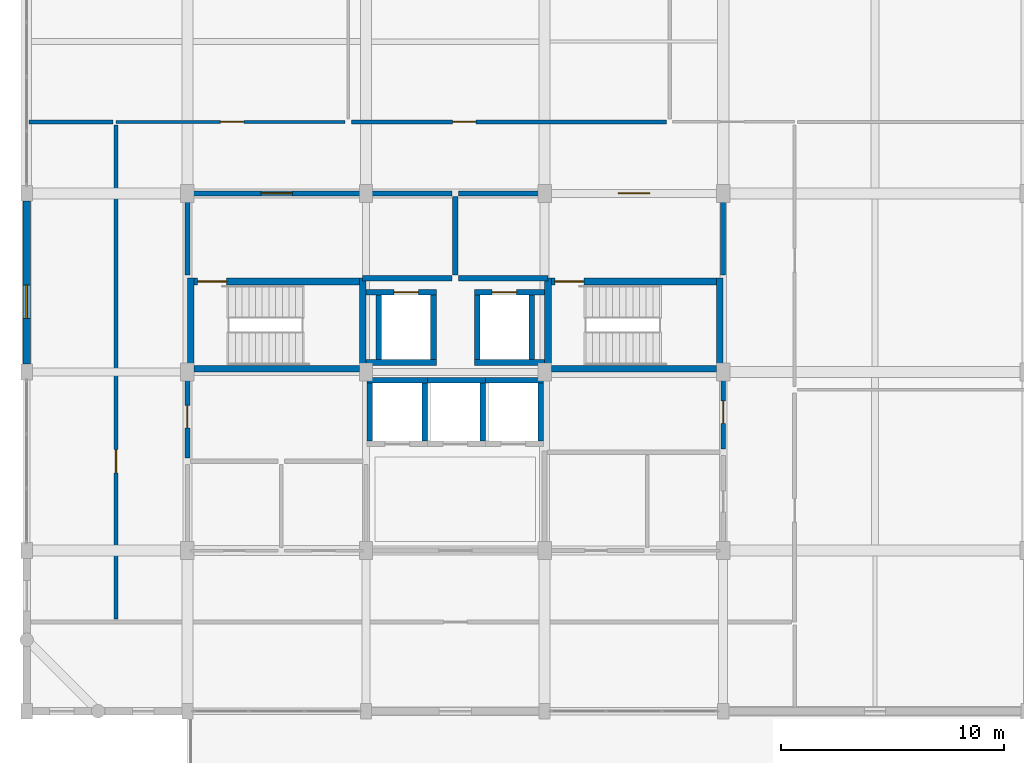
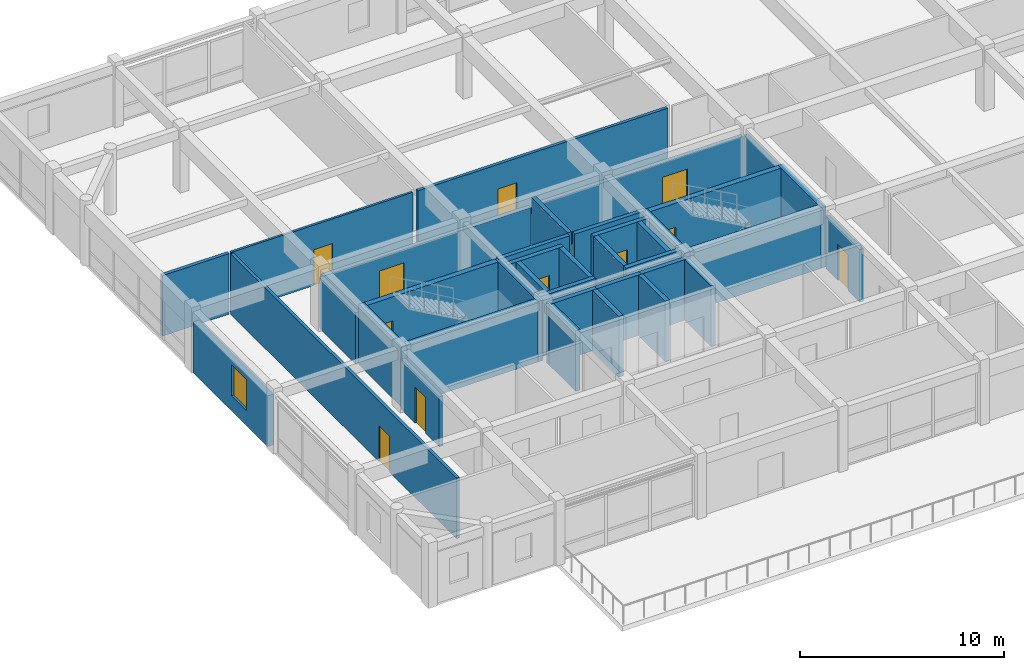
# One storey, part 10 of 13: 37 walls, 11 doors, 1 window, 12 openings.
"""IFC4 building model written with IfcOpenShell, lengths in metres."""

from ifc_helpers import new_model, si_unit, direction, frame, frame_2d, origin, place, context, subcontext, project, spatial, rectangle, extrude, material, layer, layer_set, type_object, element, fill, save


model = new_model("IFC4")

# Units and contexts
model_context = context("Model", 3, precision=1e-05, world=origin(), true_north=direction((0.0, 1.0)))
body_context = subcontext(model_context, "Body", "Model", "MODEL_VIEW")
ifc_project = project(units=[si_unit("LENGTHUNIT", "METRE"), si_unit("AREAUNIT", "SQUARE_METRE"), si_unit("VOLUMEUNIT", "CUBIC_METRE"), si_unit("PLANEANGLEUNIT", "RADIAN"), si_unit("MASSUNIT", "GRAM", prefix="KILO")], contexts=[model_context])

# Site, building, storey
site_placement = place(None, origin())
site = spatial("IfcSite", under=ifc_project, at=site_placement, CompositionType="ELEMENT")
building_placement = place(site_placement, origin())
building = spatial("IfcBuilding", under=site, at=building_placement, Name="Vellmiral Cinema and Media Centre", CompositionType="ELEMENT")
storey_placement = place(building_placement, frame((0.0, 0.0, 50.89990234375)))
storey = spatial("IfcBuildingStorey", under=building, at=storey_placement, Name="L12", CompositionType="ELEMENT", Elevation=50.89990234375)

# Wall, opening, door
ifc_material_1 = material(Name="Concrete C40/50", Category="concrete")
ifc_layer_1 = layer(ifc_material_1, 0.2099609375, Name="Concrete C40/50")
ifc_layer_set_1 = layer_set([ifc_layer_1], Name="Concrete C40/50")
wall_type_1 = type_object("IfcWallType", Name="WL-COMP-210", PredefinedType="SOLIDWALL", material=ifc_layer_set_1)
wall_1_placement = place(storey_placement, frame((124.0, 83.340087890625, 0.0), z_axis=(0.0, 0.0, 1.0), x_axis=(0.0, 1.0, 0.0)))
wall_1 = element("IfcWall", 1, at=wall_1_placement, inside=storey, type_object=wall_type_1, Name="Electrical and Telecom Riser Room Wall W", PredefinedType="SOLIDWALL", context=body_context, shape_type="SweptSolid", body=[
    extrude(rectangle(XDim=3.719970703125, YDim=0.2099609375, at=frame_2d((1.85986328125, 0.0))), origin(), (0.0, 0.0, 1.0), 3.005126953125),
])
opening_1_placement = place(wall_1_placement, frame((1.360107421875, 0.0, 0.0)))
opening_1 = element("IfcOpeningElement", 2, at=opening_1_placement, cuts=wall_1, Name="Opening D-FD30B", PredefinedType="OPENING", context=body_context, shape_type="SweptSolid", body=[
    extrude(rectangle(XDim=1.0, YDim=2.14990234375, at=frame_2d((0.5, 1.074951171875))), frame((0.0, 0.116943359375, 0.0), z_axis=(0.0, -1.0, 0.0), x_axis=(1.0, 0.0, 0.0)), (0.0, 0.0, 1.0), 0.23388671875),
])
ifc_material_2 = material(Name="Steel Riser Fire Door", Category="steel")
door_type_1 = type_object("IfcDoorType", Name="DR-FD30-1000x2150", OperationType="NOTDEFINED", PredefinedType="DOOR", material=ifc_material_2)
door_1_placement = place(opening_1_placement, frame((1.0, 0.0, 0.0), z_axis=(0.0, 0.0, 1.0), x_axis=(-1.0, 0.0, 0.0)))
door_1 = element("IfcDoor", 3, at=door_1_placement, inside=storey, type_object=door_type_1, Name="Electrical and Telecom Riser Room Door", OperationType="SINGLE_SWING_LEFT", OverallHeight=2.14990234375, OverallWidth=1.0, PredefinedType="DOOR", context=body_context, shape_type="SweptSolid", body=[
    extrude(rectangle(XDim=1.0, YDim=2.14990234375, at=frame_2d((0.5, 1.074951171875))), frame((0.0, 0.02490234375, 0.0), z_axis=(0.0, -1.0, 0.0), x_axis=(1.0, 0.0, 0.0)), (0.0, 0.0, 1.0), 0.050048828125),
])
fill(opening_1, door_1)

wall_2_placement = place(storey_placement, frame((148.0, 83.739990234375, 0.0), z_axis=(0.0, 0.0, 1.0), x_axis=(0.0, 1.0, 0.0)))
wall_2 = element("IfcWall", 4, at=wall_2_placement, inside=storey, type_object=wall_type_1, Name="Mechanical Riser and Duct Room Wall E", PredefinedType="SOLIDWALL", context=body_context, shape_type="SweptSolid", body=[
    extrude(rectangle(XDim=3.320068359375, YDim=0.2099609375, at=frame_2d((1.66015625, 0.0))), origin(), (0.0, 0.0, 1.0), 3.155029296875),
])
opening_2_placement = place(wall_2_placement, frame((1.159912109375, 0.0, 0.0)))
opening_2 = element("IfcOpeningElement", 5, at=opening_2_placement, cuts=wall_2, Name="Opening D-FD30B", PredefinedType="OPENING", context=body_context, shape_type="SweptSolid", body=[
    extrude(rectangle(XDim=1.0, YDim=2.14990234375, at=frame_2d((0.5, 1.074951171875))), frame((0.0, 0.116943359375, 0.0), z_axis=(0.0, -1.0, 0.0), x_axis=(1.0, 0.0, 0.0)), (0.0, 0.0, 1.0), 0.23388671875),
])
door_2_placement = place(opening_2_placement, origin())
door_2 = element("IfcDoor", 6, at=door_2_placement, inside=storey, type_object=door_type_1, Name="Mechanical Riser and Duct Room Door", OperationType="SINGLE_SWING_LEFT", OverallHeight=2.14990234375, OverallWidth=1.0, PredefinedType="DOOR", context=body_context, shape_type="SweptSolid", body=[
    extrude(rectangle(XDim=1.0, YDim=2.14990234375, at=frame_2d((0.5, 1.074951171875))), frame((0.0, 0.02490234375, 0.0), z_axis=(0.0, -1.0, 0.0), x_axis=(1.0, 0.0, 0.0)), (0.0, 0.0, 1.0), 0.050048828125),
])
fill(opening_2, door_2)

# Walls
ifc_material_3 = material(Name="Concrete C40/50", Category="concrete")
ifc_layer_2 = layer(ifc_material_3, 0.300048828125, Name="Concrete C40/50")
ifc_layer_set_2 = layer_set([ifc_layer_2], Name="Concrete C40/50")
wall_type_2 = type_object("IfcWallType", Name="WL-CORE-300", PredefinedType="SHEAR", material=ifc_layer_set_2)
for number, where, z_axis, x_axis, name in (
    (7, (124.14990234375, 87.199951171875, 0.0), (0.0, 0.0, 1.0), (0.0, 1.0, 0.0), "Stair Core Wall ST-T1 L12-W"),
    (8, (131.85009765625, 87.199951171875, 0.0), (0.0, 0.0, 1.0), (0.0, 1.0, 0.0), "Stair Core Wall ST-T1 L12-E"),
):
    element("IfcWall", number, at=place(storey_placement, frame(where, z_axis=z_axis, x_axis=x_axis)), inside=storey, type_object=wall_type_2, Name=name, PredefinedType="SHEAR", context=body_context, shape_type="SweptSolid", body=[
        extrude(rectangle(XDim=4.199951171875, YDim=0.300048828125, at=frame_2d((2.10009765625, 0.0))), origin(), (0.0, 0.0, 1.0), 3.6201171875),
    ])
wall_3_placement = place(storey_placement, frame((124.300048828125, 87.35009765625, 0.0), z_axis=(0.0, 0.0, 1.0), x_axis=(1.0, 0.0, 0.0)))
element("IfcWall", 9, at=wall_3_placement, inside=storey, type_object=wall_type_2, Name="Stair Core Wall ST-T1 L12-S", PredefinedType="SHEAR", context=body_context, shape_type="SweptSolid", body=[
    extrude(rectangle(XDim=7.39990234375, YDim=0.300048828125, at=frame_2d((3.699951171875, 0.0))), origin(), (0.0, 0.0, 1.0), 3.6201171875),
])

# Wall, opening, door
wall_4_placement = place(storey_placement, frame((124.300048828125, 91.25, 0.0), z_axis=(0.0, 0.0, 1.0), x_axis=(1.0, 0.0, 0.0)))
wall_4 = element("IfcWall", 10, at=wall_4_placement, inside=storey, type_object=wall_type_2, Name="Stair Core Wall ST-T1 L12-N", PredefinedType="SHEAR", context=body_context, shape_type="SweptSolid", body=[
    extrude(rectangle(XDim=7.39990234375, YDim=0.300048828125, at=frame_2d((3.699951171875, 0.0))), origin(), (0.0, 0.0, 1.0), 3.6201171875),
])
opening_3_placement = place(wall_4_placement, frame((0.159912109375, 0.0, 0.0)))
opening_3 = element("IfcOpeningElement", 11, at=opening_3_placement, cuts=wall_4, Name="Opening D-FD30A", PredefinedType="OPENING", context=body_context, shape_type="SweptSolid", body=[
    extrude(rectangle(XDim=1.300048828125, YDim=2.179931640625, at=frame_2d((0.64990234375, 1.08984375))), frame((0.0, 0.162109375, 0.0), z_axis=(0.0, -1.0, 0.0), x_axis=(1.0, 0.0, 0.0)), (0.0, 0.0, 1.0), 0.323974609375),
])
ifc_material_4 = material(Name="Steel Stair Fire Door", Category="steel")
door_type_2 = type_object("IfcDoorType", Name="DR-FD30-1300x2180", OperationType="NOTDEFINED", PredefinedType="DOOR", material=ifc_material_4)
door_3_placement = place(opening_3_placement, frame((1.300048828125, 0.0, 0.0), z_axis=(0.0, 0.0, 1.0), x_axis=(-1.0, 0.0, 0.0)))
door_3 = element("IfcDoor", 12, at=door_3_placement, inside=storey, type_object=door_type_2, Name="Protected Stair Door ST-T1 L12", OperationType="SINGLE_SWING_RIGHT", OverallHeight=2.179931640625, OverallWidth=1.300048828125, PredefinedType="DOOR", context=body_context, shape_type="SweptSolid", body=[
    extrude(rectangle(XDim=1.300048828125, YDim=2.179931640625, at=frame_2d((0.64990234375, 1.08984375))), frame((0.0, 0.02490234375, 0.0), z_axis=(0.0, -1.0, 0.0), x_axis=(1.0, 0.0, 0.0)), (0.0, 0.0, 1.0), 0.050048828125),
])
fill(opening_3, door_3)

# Walls
for number, where, z_axis, x_axis, name in (
    (13, (140.14990234375, 87.199951171875, 0.0), (0.0, 0.0, 1.0), (0.0, 1.0, 0.0), "Stair Core Wall ST-T2 L12-W"),
    (14, (147.85009765625, 87.199951171875, 0.0), (0.0, 0.0, 1.0), (0.0, 1.0, 0.0), "Stair Core Wall ST-T2 L12-E"),
):
    element("IfcWall", number, at=place(storey_placement, frame(where, z_axis=z_axis, x_axis=x_axis)), inside=storey, type_object=wall_type_2, Name=name, PredefinedType="SHEAR", context=body_context, shape_type="SweptSolid", body=[
        extrude(rectangle(XDim=4.199951171875, YDim=0.300048828125, at=frame_2d((2.10009765625, 0.0))), origin(), (0.0, 0.0, 1.0), 3.6201171875),
    ])
wall_5_placement = place(storey_placement, frame((140.300048828125, 87.35009765625, 0.0), z_axis=(0.0, 0.0, 1.0), x_axis=(1.0, 0.0, 0.0)))
element("IfcWall", 15, at=wall_5_placement, inside=storey, type_object=wall_type_2, Name="Stair Core Wall ST-T2 L12-S", PredefinedType="SHEAR", context=body_context, shape_type="SweptSolid", body=[
    extrude(rectangle(XDim=7.39990234375, YDim=0.300048828125, at=frame_2d((3.699951171875, 0.0))), origin(), (0.0, 0.0, 1.0), 3.6201171875),
])

# Wall, opening, door
wall_6_placement = place(storey_placement, frame((140.300048828125, 91.25, 0.0), z_axis=(0.0, 0.0, 1.0), x_axis=(1.0, 0.0, 0.0)))
wall_6 = element("IfcWall", 16, at=wall_6_placement, inside=storey, type_object=wall_type_2, Name="Stair Core Wall ST-T2 L12-N", PredefinedType="SHEAR", context=body_context, shape_type="SweptSolid", body=[
    extrude(rectangle(XDim=7.39990234375, YDim=0.300048828125, at=frame_2d((3.699951171875, 0.0))), origin(), (0.0, 0.0, 1.0), 3.6201171875),
])
opening_4_placement = place(wall_6_placement, frame((0.159912109375, 0.0, 0.0)))
opening_4 = element("IfcOpeningElement", 17, at=opening_4_placement, cuts=wall_6, Name="Opening D-FD30A", PredefinedType="OPENING", context=body_context, shape_type="SweptSolid", body=[
    extrude(rectangle(XDim=1.300048828125, YDim=2.179931640625, at=frame_2d((0.64990234375, 1.08984375))), frame((0.0, 0.162109375, 0.0), z_axis=(0.0, -1.0, 0.0), x_axis=(1.0, 0.0, 0.0)), (0.0, 0.0, 1.0), 0.323974609375),
])
door_4_placement = place(opening_4_placement, frame((1.300048828125, 0.0, 0.0), z_axis=(0.0, 0.0, 1.0), x_axis=(-1.0, 0.0, 0.0)))
door_4 = element("IfcDoor", 18, at=door_4_placement, inside=storey, type_object=door_type_2, Name="Protected Stair Door ST-T2 L12", OperationType="SINGLE_SWING_RIGHT", OverallHeight=2.179931640625, OverallWidth=1.300048828125, PredefinedType="DOOR", context=body_context, shape_type="SweptSolid", body=[
    extrude(rectangle(XDim=1.300048828125, YDim=2.179931640625, at=frame_2d((0.64990234375, 1.08984375))), frame((0.0, 0.02490234375, 0.0), z_axis=(0.0, -1.0, 0.0), x_axis=(1.0, 0.0, 0.0)), (0.0, 0.0, 1.0), 0.050048828125),
])
fill(opening_4, door_4)

# Wall, opening, window
ifc_material_5 = material(Name="Vosges Red Sandstone Masonry", Category="masonry")
ifc_layer_3 = layer(ifc_material_5, 0.340087890625, Name="Vosges Red Sandstone Masonry")
ifc_layer_set_3 = layer_set([ifc_layer_3], Name="Vosges Red Sandstone Masonry")
wall_type_3 = type_object("IfcWallType", Name="WL-EXT-SAND-340", PredefinedType="SOLIDWALL", material=ifc_layer_set_3)
wall_7_placement = place(storey_placement, frame((116.800048828125, 94.85009765625, 0.0), z_axis=(0.0, 0.0, 1.0), x_axis=(0.0, -1.0, 0.0)))
wall_7 = element("IfcWall", 19, at=wall_7_placement, inside=storey, type_object=wall_type_3, Name="Exterior Facade Wall L12-026", PredefinedType="SOLIDWALL", context=body_context, shape_type="SweptSolid", body=[
    extrude(rectangle(XDim=7.300048828125, YDim=0.340087890625, at=frame_2d((3.64990234375, 0.0))), origin(), (0.0, 0.0, 1.0), 3.045166015625),
])
opening_5_placement = place(wall_7_placement, frame((3.75, 0.0, 0.89990234375)))
opening_5 = element("IfcOpeningElement", 20, at=opening_5_placement, cuts=wall_7, Name="Opening WN-06", PredefinedType="OPENING", context=body_context, shape_type="SweptSolid", body=[
    extrude(rectangle(XDim=1.5, YDim=1.85009765625, at=frame_2d((0.75, 0.925048828125))), frame((0.0, 0.18212890625, 0.0), z_axis=(0.0, -1.0, 0.0), x_axis=(1.0, 0.0, 0.0)), (0.0, 0.0, 1.0), 0.364013671875),
])
ifc_material_6 = material(Name="Thermally Broken Aluminium Triple Glazing", Category="aluminium")
window_type = type_object("IfcWindowType", Name="WN-1500x1850", PartitioningType="SINGLE_PANEL", PredefinedType="WINDOW", material=ifc_material_6)
window_placement = place(opening_5_placement, origin())
window = element("IfcWindow", 21, at=window_placement, inside=storey, type_object=window_type, Name="Window L12-026", OverallHeight=1.85009765625, OverallWidth=1.5, PartitioningType="SINGLE_PANEL", PredefinedType="WINDOW", context=body_context, shape_type="SweptSolid", body=[
    extrude(rectangle(XDim=1.5, YDim=1.85009765625, at=frame_2d((0.75, 0.925048828125))), frame((0.0, 0.030029296875, 0.0), z_axis=(0.0, -1.0, 0.0), x_axis=(1.0, 0.0, 0.0)), (0.0, 0.0, 1.0), 0.06005859375),
])
fill(opening_5, window)

# Wall
ifc_material_7 = material(Name="Concrete C40/50", Category="concrete")
ifc_layer_4 = layer(ifc_material_7, 0.22998046875, Name="Concrete C40/50")
ifc_layer_set_4 = layer_set([ifc_layer_4], Name="Concrete C40/50")
wall_type_4 = type_object("IfcWallType", Name="WL-FFL-230", PredefinedType="SOLIDWALL", material=ifc_layer_set_4)
wall_8_placement = place(storey_placement, frame((131.840087890625, 91.39990234375, 0.0), z_axis=(0.0, 0.0, 1.0), x_axis=(1.0, 0.0, 0.0)))
element("IfcWall", 22, at=wall_8_placement, inside=storey, type_object=wall_type_4, Name="Firefighting Lobby West Wall S", PredefinedType="SOLIDWALL", context=body_context, shape_type="SweptSolid", body=[
    extrude(rectangle(XDim=4.02001953125, YDim=0.22998046875, at=frame_2d((2.010009765625, 0.0))), origin(), (0.0, 0.0, 1.0), 3.6201171875),
])

# Wall, opening, door
wall_9_placement = place(storey_placement, frame((124.139892578125, 95.199951171875, 0.0), z_axis=(0.0, 0.0, 1.0), x_axis=(1.0, 0.0, 0.0)))
wall_9 = element("IfcWall", 23, at=wall_9_placement, inside=storey, type_object=wall_type_4, Name="Firefighting Lobby West Wall N", PredefinedType="SOLIDWALL", context=body_context, shape_type="SweptSolid", body=[
    extrude(rectangle(XDim=11.72021484375, YDim=0.22998046875, at=frame_2d((5.860107421875, 0.0))), origin(), (0.0, 0.0, 1.0), 3.005126953125),
])
opening_6_placement = place(wall_9_placement, frame((3.159912109375, 0.0, 0.0)))
opening_6 = element("IfcOpeningElement", 24, at=opening_6_placement, cuts=wall_9, Name="Opening D-FD60B", PredefinedType="OPENING", context=body_context, shape_type="SweptSolid", body=[
    extrude(rectangle(XDim=1.39990234375, YDim=2.199951171875, at=frame_2d((0.699951171875, 1.10009765625))), frame((0.0, 0.126953125, 0.0), z_axis=(0.0, -1.0, 0.0), x_axis=(1.0, 0.0, 0.0)), (0.0, 0.0, 1.0), 0.25390625),
])
ifc_material_8 = material(Name="Steel Fire Door", Category="steel")
door_type_3 = type_object("IfcDoorType", Name="DR-FD60-1400x2200", OperationType="NOTDEFINED", PredefinedType="DOOR", material=ifc_material_8)
door_5_placement = place(opening_6_placement, frame((1.39990234375, 0.0, 0.0), z_axis=(0.0, 0.0, 1.0), x_axis=(-1.0, 0.0, 0.0)))
door_5 = element("IfcDoor", 25, at=door_5_placement, inside=storey, type_object=door_type_3, Name="Firefighting Lobby West Door", OperationType="SINGLE_SWING_RIGHT", OverallHeight=2.199951171875, OverallWidth=1.39990234375, PredefinedType="DOOR", context=body_context, shape_type="SweptSolid", body=[
    extrude(rectangle(XDim=1.39990234375, YDim=2.199951171875, at=frame_2d((0.699951171875, 1.10009765625))), frame((0.0, 0.02490234375, 0.0), z_axis=(0.0, -1.0, 0.0), x_axis=(1.0, 0.0, 0.0)), (0.0, 0.0, 1.0), 0.050048828125),
])
fill(opening_6, door_5)

# Walls
wall_10_placement = place(storey_placement, frame((124.0, 91.5400390625, 0.0), z_axis=(0.0, 0.0, 1.0), x_axis=(0.0, 1.0, 0.0)))
element("IfcWall", 26, at=wall_10_placement, inside=storey, type_object=wall_type_4, Name="Firefighting Lobby West Wall W", PredefinedType="SOLIDWALL", context=body_context, shape_type="SweptSolid", body=[
    extrude(rectangle(XDim=3.52001953125, YDim=0.22998046875, at=frame_2d((1.760009765625, 0.0))), origin(), (0.0, 0.0, 1.0), 3.05517578125),
])
wall_11_placement = place(storey_placement, frame((136.0, 91.5400390625, 0.0), z_axis=(0.0, 0.0, 1.0), x_axis=(0.0, 1.0, 0.0)))
element("IfcWall", 27, at=wall_11_placement, inside=storey, type_object=wall_type_4, Name="Firefighting Lobby West Wall E", PredefinedType="SOLIDWALL", context=body_context, shape_type="SweptSolid", body=[
    extrude(rectangle(XDim=3.52001953125, YDim=0.22998046875, at=frame_2d((1.760009765625, 0.0))), origin(), (0.0, 0.0, 1.0), 3.6201171875),
])
wall_12_placement = place(storey_placement, frame((136.139892578125, 91.39990234375, 0.0), z_axis=(0.0, 0.0, 1.0), x_axis=(1.0, 0.0, 0.0)))
element("IfcWall", 28, at=wall_12_placement, inside=storey, type_object=wall_type_4, Name="Firefighting Lobby East Wall S", PredefinedType="SOLIDWALL", context=body_context, shape_type="SweptSolid", body=[
    extrude(rectangle(XDim=4.02001953125, YDim=0.22998046875, at=frame_2d((2.010009765625, 0.0))), origin(), (0.0, 0.0, 1.0), 3.6201171875),
])

# Wall, opening, door
wall_13_placement = place(storey_placement, frame((136.139892578125, 95.199951171875, 0.0), z_axis=(0.0, 0.0, 1.0), x_axis=(1.0, 0.0, 0.0)))
wall_13 = element("IfcWall", 29, at=wall_13_placement, inside=storey, type_object=wall_type_4, Name="Firefighting Lobby East Wall N", PredefinedType="SOLIDWALL", context=body_context, shape_type="SweptSolid", body=[
    extrude(rectangle(XDim=11.72021484375, YDim=0.22998046875, at=frame_2d((5.860107421875, 0.0))), origin(), (0.0, 0.0, 1.0), 3.05517578125),
])
opening_7_placement = place(wall_13_placement, frame((7.159912109375, 0.0, 0.0)))
opening_7 = element("IfcOpeningElement", 30, at=opening_7_placement, cuts=wall_13, Name="Opening D-FD60B", PredefinedType="OPENING", context=body_context, shape_type="SweptSolid", body=[
    extrude(rectangle(XDim=1.39990234375, YDim=2.199951171875, at=frame_2d((0.699951171875, 1.10009765625))), frame((0.0, 0.126953125, 0.0), z_axis=(0.0, -1.0, 0.0), x_axis=(1.0, 0.0, 0.0)), (0.0, 0.0, 1.0), 0.25390625),
])
door_6_placement = place(opening_7_placement, frame((1.39990234375, 0.0, 0.0), z_axis=(0.0, 0.0, 1.0), x_axis=(-1.0, 0.0, 0.0)))
door_6 = element("IfcDoor", 31, at=door_6_placement, inside=storey, type_object=door_type_3, Name="Firefighting Lobby East Door", OperationType="SINGLE_SWING_LEFT", OverallHeight=2.199951171875, OverallWidth=1.39990234375, PredefinedType="DOOR", context=body_context, shape_type="SweptSolid", body=[
    extrude(rectangle(XDim=1.39990234375, YDim=2.199951171875, at=frame_2d((0.699951171875, 1.10009765625))), frame((0.0, 0.02490234375, 0.0), z_axis=(0.0, -1.0, 0.0), x_axis=(1.0, 0.0, 0.0)), (0.0, 0.0, 1.0), 0.050048828125),
])
fill(opening_7, door_6)

# Wall
wall_14_placement = place(storey_placement, frame((148.0, 91.5400390625, 0.0), z_axis=(0.0, 0.0, 1.0), x_axis=(0.0, 1.0, 0.0)))
element("IfcWall", 32, at=wall_14_placement, inside=storey, type_object=wall_type_4, Name="Firefighting Lobby East Wall E", PredefinedType="SOLIDWALL", context=body_context, shape_type="SweptSolid", body=[
    extrude(rectangle(XDim=3.52001953125, YDim=0.22998046875, at=frame_2d((1.760009765625, 0.0))), origin(), (0.0, 0.0, 1.0), 3.155029296875),
])

# Wall, opening, door
ifc_material_9 = material(Name="Gypsum Plasterboard")
ifc_layer_5 = layer(ifc_material_9, 0.02490234375, Name="Gypsum Plasterboard", Category="gypsum")
ifc_material_10 = material(Name="Mineral Wool Acoustic Insulation", Category="insulation")
ifc_layer_6 = layer(ifc_material_10, 0.080078125, Name="Mineral Wool Acoustic Insulation", Category="insulation")
ifc_layer_7 = layer(ifc_material_9, 0.02490234375, Name="Gypsum Plasterboard", Category="gypsum")
ifc_layer_set_5 = layer_set([ifc_layer_5, ifc_layer_6, ifc_layer_7], Name="Gypsum Plasterboard")
wall_type_5 = type_object("IfcWallType", Name="WL-PART-130", PredefinedType="PARTITIONING", material=ifc_layer_set_5)
wall_15_placement = place(storey_placement, frame((120.800048828125, 98.39990234375, 0.0), z_axis=(0.0, 0.0, 1.0), x_axis=(1.0, 0.0, 0.0)))
wall_15 = element("IfcWall", 33, at=wall_15_placement, inside=storey, type_object=wall_type_5, Name="North Film Commission Suite West Wall S", PredefinedType="PARTITIONING", context=body_context, shape_type="SweptSolid", body=[
    extrude(rectangle(XDim=10.260009765625, YDim=0.1298828125, at=frame_2d((5.1298828125, 0.0))), origin(), (0.0, 0.0, 1.0), 3.6201171875),
])
opening_8_placement = place(wall_15_placement, frame((4.675048828125, 0.0, 0.0)))
opening_8 = element("IfcOpeningElement", 34, at=opening_8_placement, cuts=wall_15, Name="Opening D-I07", PredefinedType="OPENING", context=body_context, shape_type="SweptSolid", body=[
    extrude(rectangle(XDim=1.050048828125, YDim=2.14990234375, at=frame_2d((0.52490234375, 1.074951171875))), frame((0.0, 0.076904296875, 0.0), z_axis=(0.0, -1.0, 0.0), x_axis=(1.0, 0.0, 0.0)), (0.0, 0.0, 1.0), 0.15380859375),
])
ifc_material_11 = material(Name="Laminated Timber Door", Category="wood")
door_type_4 = type_object("IfcDoorType", Name="DR-INT-1050x2150", OperationType="NOTDEFINED", PredefinedType="DOOR", material=ifc_material_11)
door_7_placement = place(opening_8_placement, origin())
door_7 = element("IfcDoor", 35, at=door_7_placement, inside=storey, type_object=door_type_4, Name="North Film Commission Suite West Door", OperationType="SINGLE_SWING_RIGHT", OverallHeight=2.14990234375, OverallWidth=1.050048828125, PredefinedType="DOOR", context=body_context, shape_type="SweptSolid", body=[
    extrude(rectangle(XDim=1.050048828125, YDim=2.14990234375, at=frame_2d((0.52490234375, 1.074951171875))), frame((0.0, 0.02490234375, 0.0), z_axis=(0.0, -1.0, 0.0), x_axis=(1.0, 0.0, 0.0)), (0.0, 0.0, 1.0), 0.050048828125),
])
fill(opening_8, door_7)

ifc_material_12 = material(Name="Gypsum Plasterboard")
ifc_layer_8 = layer(ifc_material_12, 0.02490234375, Name="Gypsum Plasterboard", Category="gypsum")
ifc_material_13 = material(Name="Mineral Wool Acoustic Insulation", Category="insulation")
ifc_layer_9 = layer(ifc_material_13, 0.1201171875, Name="Mineral Wool Acoustic Insulation", Category="insulation")
ifc_layer_10 = layer(ifc_material_12, 0.02490234375, Name="Gypsum Plasterboard", Category="gypsum")
ifc_layer_set_6 = layer_set([ifc_layer_8, ifc_layer_9, ifc_layer_10], Name="Gypsum Plasterboard")
wall_type_6 = type_object("IfcWallType", Name="WL-PART-170", PredefinedType="PARTITIONING", material=ifc_layer_set_6)
wall_16_placement = place(storey_placement, frame((120.800048828125, 76.139892578125, 0.0), z_axis=(0.0, 0.0, 1.0), x_axis=(0.0, 1.0, 0.0)))
wall_16 = element("IfcWall", 36, at=wall_16_placement, inside=storey, type_object=wall_type_6, Name="West Mirador Office Wall E", PredefinedType="PARTITIONING", context=body_context, shape_type="SweptSolid", body=[
    extrude(rectangle(XDim=22.1201171875, YDim=0.169921875, at=frame_2d((11.06005859375, 0.0))), origin(), (0.0, 0.0, 1.0), 3.6201171875),
])
opening_9_placement = place(wall_16_placement, frame((6.534912109375, 0.0, 0.0)))
opening_9 = element("IfcOpeningElement", 37, at=opening_9_placement, cuts=wall_16, Name="Opening D-I07", PredefinedType="OPENING", context=body_context, shape_type="SweptSolid", body=[
    extrude(rectangle(XDim=1.050048828125, YDim=2.14990234375, at=frame_2d((0.52490234375, 1.074951171875))), frame((0.0, 0.096923828125, 0.0), z_axis=(0.0, -1.0, 0.0), x_axis=(1.0, 0.0, 0.0)), (0.0, 0.0, 1.0), 0.19384765625),
])
door_8_placement = place(opening_9_placement, origin())
door_8 = element("IfcDoor", 38, at=door_8_placement, inside=storey, type_object=door_type_4, Name="West Mirador Office Door", OperationType="SINGLE_SWING_LEFT", OverallHeight=2.14990234375, OverallWidth=1.050048828125, PredefinedType="DOOR", context=body_context, shape_type="SweptSolid", body=[
    extrude(rectangle(XDim=1.050048828125, YDim=2.14990234375, at=frame_2d((0.52490234375, 1.074951171875))), frame((0.0, 0.02490234375, 0.0), z_axis=(0.0, -1.0, 0.0), x_axis=(1.0, 0.0, 0.0)), (0.0, 0.0, 1.0), 0.050048828125),
])
fill(opening_9, door_8)

wall_17_placement = place(storey_placement, frame((131.340087890625, 98.39990234375, 0.0), z_axis=(0.0, 0.0, 1.0), x_axis=(1.0, 0.0, 0.0)))
wall_17 = element("IfcWall", 39, at=wall_17_placement, inside=storey, type_object=wall_type_6, Name="North Film Commission Boardroom Wall S", PredefinedType="PARTITIONING", context=body_context, shape_type="SweptSolid", body=[
    extrude(rectangle(XDim=14.119873046875, YDim=0.169921875, at=frame_2d((7.06005859375, 0.0))), origin(), (0.0, 0.0, 1.0), 3.6201171875),
])
opening_10_placement = place(wall_17_placement, frame((4.534912109375, 0.0, 0.0)))
opening_10 = element("IfcOpeningElement", 40, at=opening_10_placement, cuts=wall_17, Name="Opening D-I07", PredefinedType="OPENING", context=body_context, shape_type="SweptSolid", body=[
    extrude(rectangle(XDim=1.050048828125, YDim=2.14990234375, at=frame_2d((0.52490234375, 1.074951171875))), frame((0.0, 0.096923828125, 0.0), z_axis=(0.0, -1.0, 0.0), x_axis=(1.0, 0.0, 0.0)), (0.0, 0.0, 1.0), 0.19384765625),
])
door_9_placement = place(opening_10_placement, origin())
door_9 = element("IfcDoor", 41, at=door_9_placement, inside=storey, type_object=door_type_4, Name="North Film Commission Boardroom Door", OperationType="SINGLE_SWING_LEFT", OverallHeight=2.14990234375, OverallWidth=1.050048828125, PredefinedType="DOOR", context=body_context, shape_type="SweptSolid", body=[
    extrude(rectangle(XDim=1.050048828125, YDim=2.14990234375, at=frame_2d((0.52490234375, 1.074951171875))), frame((0.0, 0.02490234375, 0.0), z_axis=(0.0, -1.0, 0.0), x_axis=(1.0, 0.0, 0.0)), (0.0, 0.0, 1.0), 0.050048828125),
])
fill(opening_10, door_9)

# Walls
ifc_material_14 = material(Name="Gypsum Plasterboard")
ifc_layer_11 = layer(ifc_material_14, 0.02490234375, Name="Gypsum Plasterboard", Category="gypsum")
ifc_material_15 = material(Name="Mineral Wool Acoustic Insulation", Category="insulation")
ifc_layer_12 = layer(ifc_material_15, 0.139892578125, Name="Mineral Wool Acoustic Insulation", Category="insulation")
ifc_layer_13 = layer(ifc_material_14, 0.02490234375, Name="Gypsum Plasterboard", Category="gypsum")
ifc_layer_set_7 = layer_set([ifc_layer_11, ifc_layer_12, ifc_layer_13], Name="Gypsum Plasterboard")
wall_type_7 = type_object("IfcWallType", Name="WL-PART-190", PredefinedType="PARTITIONING", material=ifc_layer_set_7)
wall_18_placement = place(storey_placement, frame((116.89501953125, 98.39990234375, 0.0), z_axis=(0.0, 0.0, 1.0), x_axis=(1.0, 0.0, 0.0)))
element("IfcWall", 42, at=wall_18_placement, inside=storey, type_object=wall_type_7, Name="West Mirador Office Wall N", PredefinedType="PARTITIONING", context=body_context, shape_type="SweptSolid", body=[
    extrude(rectangle(XDim=3.764892578125, YDim=0.18994140625, at=frame_2d((1.88232421875, 0.0))), origin(), (0.0, 0.0, 1.0), 3.6201171875),
])
ifc_material_16 = material(Name="Concrete C40/50", Category="concrete")
ifc_layer_14 = layer(ifc_material_16, 0.25, Name="Concrete C40/50")
ifc_layer_set_8 = layer_set([ifc_layer_14], Name="Concrete C40/50")
wall_type_8 = type_object("IfcWallType", Name="WL-SHAFT-250", PredefinedType="SHEAR", material=ifc_layer_set_8)
wall_19_placement = place(storey_placement, frame((132.0, 87.625, 0.0), z_axis=(0.0, 0.0, 1.0), x_axis=(1.0, 0.0, 0.0)))
element("IfcWall", 43, at=wall_19_placement, inside=storey, type_object=wall_type_8, Name="Lift Shaft Wall LF-FF1 L12-S", PredefinedType="SHEAR", context=body_context, shape_type="SweptSolid", body=[
    extrude(rectangle(XDim=3.14990234375, YDim=0.25, at=frame_2d((1.574951171875, 0.0))), origin(), (0.0, 0.0, 1.0), 3.6201171875),
])

# Wall, opening, door
wall_20_placement = place(storey_placement, frame((132.0, 90.77490234375, 0.0), z_axis=(0.0, 0.0, 1.0), x_axis=(1.0, 0.0, 0.0)))
wall_20 = element("IfcWall", 44, at=wall_20_placement, inside=storey, type_object=wall_type_8, Name="Lift Shaft Wall LF-FF1 L12-N", PredefinedType="SHEAR", context=body_context, shape_type="SweptSolid", body=[
    extrude(rectangle(XDim=3.14990234375, YDim=0.25, at=frame_2d((1.574951171875, 0.0))), origin(), (0.0, 0.0, 1.0), 3.6201171875),
])
opening_11_placement = place(wall_20_placement, frame((1.25, 0.0, 0.0)))
opening_11 = element("IfcOpeningElement", 45, at=opening_11_placement, cuts=wall_20, Name="Opening LD-01", PredefinedType="OPENING", context=body_context, shape_type="SweptSolid", body=[
    extrude(rectangle(XDim=1.10009765625, YDim=2.14990234375, at=frame_2d((0.550048828125, 1.074951171875))), frame((0.0, 0.136962890625, 0.0), z_axis=(0.0, -1.0, 0.0), x_axis=(1.0, 0.0, 0.0)), (0.0, 0.0, 1.0), 0.27392578125),
])
ifc_material_17 = material(Name="Stainless Steel Lift Landing Door", Category="steel")
door_type_5 = type_object("IfcDoorType", Name="DR-LIFT-1100x2150", OperationType="SLIDING_TO_LEFT", PredefinedType="DOOR", material=ifc_material_17)
door_10_placement = place(opening_11_placement, origin())
door_10 = element("IfcDoor", 46, at=door_10_placement, inside=storey, type_object=door_type_5, Name="Lift Landing Door LF-FF1 L12", OperationType="SLIDING_TO_LEFT", OverallHeight=2.14990234375, OverallWidth=1.10009765625, PredefinedType="DOOR", context=body_context, shape_type="SweptSolid", body=[
    extrude(rectangle(XDim=1.10009765625, YDim=2.14990234375, at=frame_2d((0.550048828125, 1.074951171875))), frame((0.0, 0.02490234375, 0.0), z_axis=(0.0, -1.0, 0.0), x_axis=(1.0, 0.0, 0.0)), (0.0, 0.0, 1.0), 0.050048828125),
])
fill(opening_11, door_10)

# Walls
for number, where, z_axis, x_axis, name in (
    (47, (132.574951171875, 87.75, 0.0), (0.0, 0.0, 1.0), (0.0, 1.0, 0.0), "Lift Shaft Wall LF-FF1 L12-W"),
    (48, (135.02490234375, 87.75, 0.0), (0.0, 0.0, 1.0), (0.0, 1.0, 0.0), "Lift Shaft Wall LF-FF1 L12-E"),
):
    element("IfcWall", number, at=place(storey_placement, frame(where, z_axis=z_axis, x_axis=x_axis)), inside=storey, type_object=wall_type_8, Name=name, PredefinedType="SHEAR", context=body_context, shape_type="SweptSolid", body=[
        extrude(rectangle(XDim=2.89990234375, YDim=0.25, at=frame_2d((1.449951171875, 0.0))), origin(), (0.0, 0.0, 1.0), 3.6201171875),
    ])
wall_21_placement = place(storey_placement, frame((136.85009765625, 87.625, 0.0), z_axis=(0.0, 0.0, 1.0), x_axis=(1.0, 0.0, 0.0)))
element("IfcWall", 49, at=wall_21_placement, inside=storey, type_object=wall_type_8, Name="Lift Shaft Wall LF-FF2 L12-S", PredefinedType="SHEAR", context=body_context, shape_type="SweptSolid", body=[
    extrude(rectangle(XDim=3.14990234375, YDim=0.25, at=frame_2d((1.574951171875, 0.0))), origin(), (0.0, 0.0, 1.0), 3.6201171875),
])

# Wall, opening, door
wall_22_placement = place(storey_placement, frame((136.85009765625, 90.77490234375, 0.0), z_axis=(0.0, 0.0, 1.0), x_axis=(1.0, 0.0, 0.0)))
wall_22 = element("IfcWall", 50, at=wall_22_placement, inside=storey, type_object=wall_type_8, Name="Lift Shaft Wall LF-FF2 L12-N", PredefinedType="SHEAR", context=body_context, shape_type="SweptSolid", body=[
    extrude(rectangle(XDim=3.14990234375, YDim=0.25, at=frame_2d((1.574951171875, 0.0))), origin(), (0.0, 0.0, 1.0), 3.6201171875),
])
opening_12_placement = place(wall_22_placement, frame((0.800048828125, 0.0, 0.0)))
opening_12 = element("IfcOpeningElement", 51, at=opening_12_placement, cuts=wall_22, Name="Opening LD-01", PredefinedType="OPENING", context=body_context, shape_type="SweptSolid", body=[
    extrude(rectangle(XDim=1.10009765625, YDim=2.14990234375, at=frame_2d((0.550048828125, 1.074951171875))), frame((0.0, 0.136962890625, 0.0), z_axis=(0.0, -1.0, 0.0), x_axis=(1.0, 0.0, 0.0)), (0.0, 0.0, 1.0), 0.27392578125),
])
door_11_placement = place(opening_12_placement, origin())
door_11 = element("IfcDoor", 52, at=door_11_placement, inside=storey, type_object=door_type_5, Name="Lift Landing Door LF-FF2 L12", OperationType="SLIDING_TO_LEFT", OverallHeight=2.14990234375, OverallWidth=1.10009765625, PredefinedType="DOOR", context=body_context, shape_type="SweptSolid", body=[
    extrude(rectangle(XDim=1.10009765625, YDim=2.14990234375, at=frame_2d((0.550048828125, 1.074951171875))), frame((0.0, 0.02490234375, 0.0), z_axis=(0.0, -1.0, 0.0), x_axis=(1.0, 0.0, 0.0)), (0.0, 0.0, 1.0), 0.050048828125),
])
fill(opening_12, door_11)

# Walls
for number, where, z_axis, x_axis, name in (
    (53, (136.97509765625, 87.75, 0.0), (0.0, 0.0, 1.0), (0.0, 1.0, 0.0), "Lift Shaft Wall LF-FF2 L12-W"),
    (54, (139.425048828125, 87.75, 0.0), (0.0, 0.0, 1.0), (0.0, 1.0, 0.0), "Lift Shaft Wall LF-FF2 L12-E"),
):
    element("IfcWall", number, at=place(storey_placement, frame(where, z_axis=z_axis, x_axis=x_axis)), inside=storey, type_object=wall_type_8, Name=name, PredefinedType="SHEAR", context=body_context, shape_type="SweptSolid", body=[
        extrude(rectangle(XDim=2.89990234375, YDim=0.25, at=frame_2d((1.449951171875, 0.0))), origin(), (0.0, 0.0, 1.0), 3.6201171875),
    ])
wall_23_placement = place(storey_placement, frame((132.050048828125, 86.824951171875, 0.0), z_axis=(0.0, 0.0, 1.0), x_axis=(1.0, 0.0, 0.0)))
element("IfcWall", 55, at=wall_23_placement, inside=storey, type_object=wall_type_8, Name="Lift Shaft Wall LF-P1 L12-N", PredefinedType="SHEAR", context=body_context, shape_type="SweptSolid", body=[
    extrude(rectangle(XDim=2.699951171875, YDim=0.25, at=frame_2d((1.35009765625, 0.0))), origin(), (0.0, 0.0, 1.0), 3.6201171875),
])
for number, where, z_axis, x_axis, name in (
    (56, (132.175048828125, 84.10009765625, 0.0), (0.0, 0.0, 1.0), (0.0, 1.0, 0.0), "Lift Shaft Wall LF-P1 L12-W"),
    (57, (134.625, 84.10009765625, 0.0), (0.0, 0.0, 1.0), (0.0, 1.0, 0.0), "Lift Shaft Wall LF-P1 L12-E"),
):
    element("IfcWall", number, at=place(storey_placement, frame(where, z_axis=z_axis, x_axis=x_axis)), inside=storey, type_object=wall_type_8, Name=name, PredefinedType="SHEAR", context=body_context, shape_type="SweptSolid", body=[
        extrude(rectangle(XDim=2.599853515625, YDim=0.25, at=frame_2d((1.2998046875, 0.0))), origin(), (0.0, 0.0, 1.0), 3.6201171875),
    ])
wall_24_placement = place(storey_placement, frame((134.64990234375, 86.824951171875, 0.0), z_axis=(0.0, 0.0, 1.0), x_axis=(1.0, 0.0, 0.0)))
element("IfcWall", 58, at=wall_24_placement, inside=storey, type_object=wall_type_8, Name="Lift Shaft Wall LF-P2 L12-N", PredefinedType="SHEAR", context=body_context, shape_type="SweptSolid", body=[
    extrude(rectangle(XDim=2.7001953125, YDim=0.25, at=frame_2d((1.35009765625, 0.0))), origin(), (0.0, 0.0, 1.0), 3.6201171875),
])
wall_25_placement = place(storey_placement, frame((137.22509765625, 84.10009765625, 0.0), z_axis=(0.0, 0.0, 1.0), x_axis=(0.0, 1.0, 0.0)))
element("IfcWall", 59, at=wall_25_placement, inside=storey, type_object=wall_type_8, Name="Lift Shaft Wall LF-P2 L12-E", PredefinedType="SHEAR", context=body_context, shape_type="SweptSolid", body=[
    extrude(rectangle(XDim=2.599853515625, YDim=0.25, at=frame_2d((1.2998046875, 0.0))), origin(), (0.0, 0.0, 1.0), 3.6201171875),
])
wall_26_placement = place(storey_placement, frame((137.25, 86.824951171875, 0.0), z_axis=(0.0, 0.0, 1.0), x_axis=(1.0, 0.0, 0.0)))
element("IfcWall", 60, at=wall_26_placement, inside=storey, type_object=wall_type_8, Name="Lift Shaft Wall LF-P3 L12-N", PredefinedType="SHEAR", context=body_context, shape_type="SweptSolid", body=[
    extrude(rectangle(XDim=2.699951171875, YDim=0.25, at=frame_2d((1.35009765625, 0.0))), origin(), (0.0, 0.0, 1.0), 3.6201171875),
])
wall_27_placement = place(storey_placement, frame((139.824951171875, 84.10009765625, 0.0), z_axis=(0.0, 0.0, 1.0), x_axis=(0.0, 1.0, 0.0)))
element("IfcWall", 61, at=wall_27_placement, inside=storey, type_object=wall_type_8, Name="Lift Shaft Wall LF-P3 L12-E", PredefinedType="SHEAR", context=body_context, shape_type="SweptSolid", body=[
    extrude(rectangle(XDim=2.599853515625, YDim=0.25, at=frame_2d((1.2998046875, 0.0))), origin(), (0.0, 0.0, 1.0), 3.6201171875),
])

save(model, "model.ifc")
